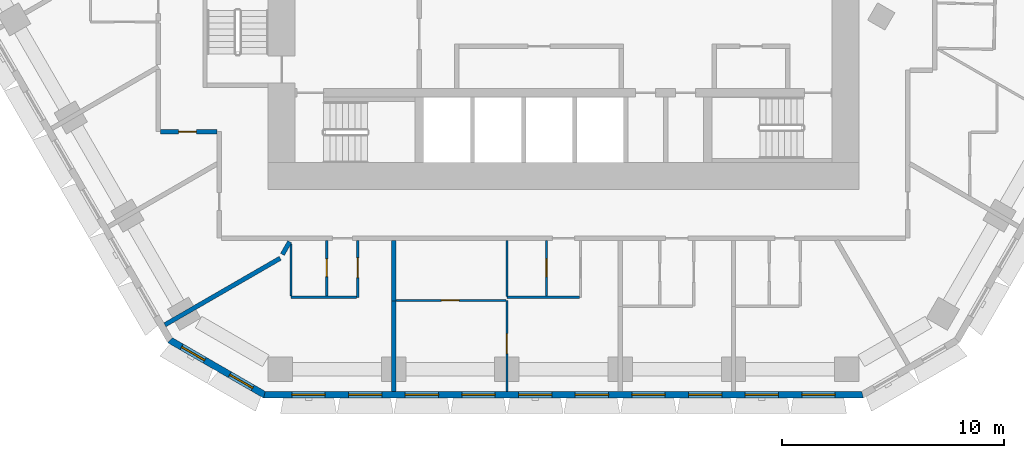
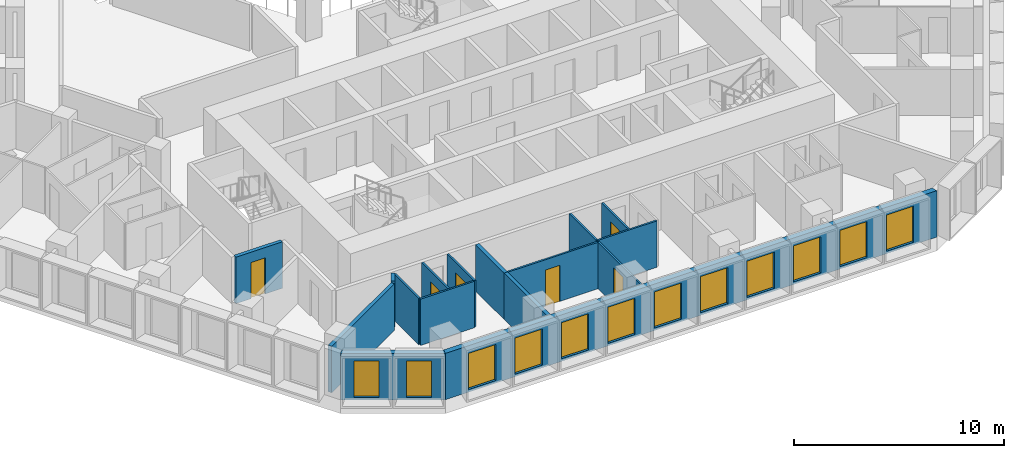
# One storey, part 3 of 21: 16 walls, 12 windows, 6 doors, 18 openings.
"""IFC4 building model written with IfcOpenShell, lengths in metres."""

from ifc_helpers import new_model, si_unit, direction, frame, frame_2d, origin, place, context, subcontext, project, spatial, polyline, rectangle, outline, extrude, material, layer, layer_set, type_object, element, fill, save


model = new_model("IFC4")

# Units and contexts
model_context = context("Model", 3, precision=1e-05, world=origin(), true_north=direction((0.0, 1.0)))
body_context = subcontext(model_context, "Body", "Model", "MODEL_VIEW")
ifc_project = project(units=[si_unit("LENGTHUNIT", "METRE"), si_unit("AREAUNIT", "SQUARE_METRE"), si_unit("VOLUMEUNIT", "CUBIC_METRE"), si_unit("PLANEANGLEUNIT", "RADIAN"), si_unit("MASSUNIT", "GRAM", prefix="KILO")], contexts=[model_context])

# Site, building, storey
site_placement = place(None, origin())
site = spatial("IfcSite", under=ifc_project, at=site_placement, CompositionType="ELEMENT")
building_placement = place(site_placement, origin())
building = spatial("IfcBuilding", under=site, at=building_placement, Name="Beryl Residences", CompositionType="ELEMENT")
storey_placement = place(building_placement, frame((0.0, 0.0, 23.39990234375)))
storey = spatial("IfcBuildingStorey", under=building, at=storey_placement, Name="L06", CompositionType="ELEMENT", Elevation=23.39990234375)

# Wall, openings, windows
ifc_material_1 = material(Name="Composite metal panel with mineral wool insulation")
ifc_layer_1 = layer(ifc_material_1, 0.300048828125)
ifc_layer_set_1 = layer_set([ifc_layer_1], Name="ES1 pale metal composite panel wall 300 mm")
wall_type_1 = type_object("IfcWallType", Name="ES1 pale metal composite panel wall 300 mm", PredefinedType="SOLIDWALL", material=ifc_layer_set_1)
wall_1_placement = place(storey_placement, frame((-17.764892578125, -25.77001953125, 0.0), z_axis=(0.0, 0.0, 1.0), x_axis=(0.866010750942, -0.50002537861, 0.0)))
wall_1 = element("IfcWall", 1, at=wall_1_placement, inside=storey, type_object=wall_type_1, Name="ES1 external wall L06 SW-S", PredefinedType="SOLIDWALL", context=body_context, shape_type="SweptSolid", body=[
    extrude(outline(polyline([(0.0, -0.14990234375), (4.999755859375, -0.14990234375), (4.91943359375, 0.14990234375), (0.080322265625, 0.14990234375), (0.0, -0.14990234375)])), origin(), (0.0, 0.0, 1.0), 2.7001953125),
])
opening_1_placement = place(wall_1_placement, frame((0.64990234375, 0.0, 0.14990234375)))
opening_1 = element("IfcOpeningElement", 2, at=opening_1_placement, cuts=wall_1, Name="Opening W2", PredefinedType="OPENING", context=body_context, shape_type="SweptSolid", body=[
    extrude(rectangle(XDim=1.199951171875, YDim=2.10009765625, at=frame_2d((0.60009765625, 1.050048828125))), frame((0.0, 0.159912109375, 0.0), z_axis=(0.0, -1.0, 0.0), x_axis=(1.0, 0.0, 0.0)), (0.0, 0.0, 1.0), 0.320068359375),
])
opening_2_placement = place(wall_1_placement, frame((3.14990234375, 0.0, 0.14990234375)))
opening_2 = element("IfcOpeningElement", 3, at=opening_2_placement, cuts=wall_1, Name="Opening W2", PredefinedType="OPENING", context=body_context, shape_type="SweptSolid", body=[
    extrude(rectangle(XDim=1.199951171875, YDim=2.10009765625, at=frame_2d((0.60009765625, 1.050048828125))), frame((0.0, 0.159912109375, 0.0), z_axis=(0.0, -1.0, 0.0), x_axis=(1.0, 0.0, 0.0)), (0.0, 0.0, 1.0), 0.320068359375),
])
ifc_material_2 = material(Name="Aluminium and clear glass", Category="aluminium")
window_type_1 = type_object("IfcWindowType", Name="W2 chamfer window 1200 x 2100 mm", PartitioningType="SINGLE_PANEL", PredefinedType="WINDOW", material=ifc_material_2)
window_1_placement = place(opening_1_placement, origin())
window_1 = element("IfcWindow", 4, at=window_1_placement, inside=storey, type_object=window_type_1, Name="W2 window L06 SW-S 1", OverallHeight=2.10009765625, OverallWidth=1.199951171875, PartitioningType="SINGLE_PANEL", PredefinedType="WINDOW", context=body_context, shape_type="SweptSolid", body=[
    extrude(rectangle(XDim=1.199951171875, YDim=2.10009765625, at=frame_2d((0.60009765625, 1.050048828125))), frame((0.0, 0.030029296875, 0.0), z_axis=(0.0, -1.0, 0.0), x_axis=(1.0, 0.0, 0.0)), (0.0, 0.0, 1.0), 0.06005859375),
])
fill(opening_1, window_1)
window_2_placement = place(opening_2_placement, origin())
window_2 = element("IfcWindow", 5, at=window_2_placement, inside=storey, type_object=window_type_1, Name="W2 window L06 SW-S 2", OverallHeight=2.10009765625, OverallWidth=1.199951171875, PartitioningType="SINGLE_PANEL", PredefinedType="WINDOW", context=body_context, shape_type="SweptSolid", body=[
    extrude(rectangle(XDim=1.199951171875, YDim=2.10009765625, at=frame_2d((0.60009765625, 1.050048828125))), frame((0.0, 0.030029296875, 0.0), z_axis=(0.0, -1.0, 0.0), x_axis=(1.0, 0.0, 0.0)), (0.0, 0.0, 1.0), 0.06005859375),
])
fill(opening_2, window_2)

wall_2_placement = place(storey_placement, frame((-13.510009765625, -28.25, 0.0), z_axis=(0.0, 0.0, 1.0), x_axis=(1.0, 0.0, 0.0)))
wall_2 = element("IfcWall", 6, at=wall_2_placement, inside=storey, type_object=wall_type_1, Name="ES1 external wall L06 S", PredefinedType="SOLIDWALL", context=body_context, shape_type="SweptSolid", body=[
    extrude(outline(polyline([(0.0, -0.14990234375), (27.02001953125, -0.14990234375), (26.939697265625, 0.14990234375), (0.080322265625, 0.14990234375), (0.0, -0.14990234375)])), origin(), (0.0, 0.0, 1.0), 2.7001953125),
])
opening_3_placement = place(wall_2_placement, frame((1.277099609375, 0.0, 0.14990234375)))
opening_3 = element("IfcOpeningElement", 7, at=opening_3_placement, cuts=wall_2, Name="Opening W1", PredefinedType="OPENING", context=body_context, shape_type="SweptSolid", body=[
    extrude(rectangle(XDim=1.5, YDim=2.10009765625, at=frame_2d((0.75, 1.050048828125))), frame((0.0, 0.159912109375, 0.0), z_axis=(0.0, -1.0, 0.0), x_axis=(1.0, 0.0, 0.0)), (0.0, 0.0, 1.0), 0.320068359375),
])
opening_4_placement = place(wall_2_placement, frame((3.8291015625, 0.0, 0.14990234375)))
opening_4 = element("IfcOpeningElement", 8, at=opening_4_placement, cuts=wall_2, Name="Opening W1", PredefinedType="OPENING", context=body_context, shape_type="SweptSolid", body=[
    extrude(rectangle(XDim=1.5, YDim=2.10009765625, at=frame_2d((0.75, 1.050048828125))), frame((0.0, 0.159912109375, 0.0), z_axis=(0.0, -1.0, 0.0), x_axis=(1.0, 0.0, 0.0)), (0.0, 0.0, 1.0), 0.320068359375),
])
opening_5_placement = place(wall_2_placement, frame((6.381103515625, 0.0, 0.14990234375)))
opening_5 = element("IfcOpeningElement", 9, at=opening_5_placement, cuts=wall_2, Name="Opening W1", PredefinedType="OPENING", context=body_context, shape_type="SweptSolid", body=[
    extrude(rectangle(XDim=1.5, YDim=2.10009765625, at=frame_2d((0.75, 1.050048828125))), frame((0.0, 0.159912109375, 0.0), z_axis=(0.0, -1.0, 0.0), x_axis=(1.0, 0.0, 0.0)), (0.0, 0.0, 1.0), 0.320068359375),
])
opening_6_placement = place(wall_2_placement, frame((8.93310546875, 0.0, 0.14990234375)))
opening_6 = element("IfcOpeningElement", 10, at=opening_6_placement, cuts=wall_2, Name="Opening W1", PredefinedType="OPENING", context=body_context, shape_type="SweptSolid", body=[
    extrude(rectangle(XDim=1.5, YDim=2.10009765625, at=frame_2d((0.75, 1.050048828125))), frame((0.0, 0.159912109375, 0.0), z_axis=(0.0, -1.0, 0.0), x_axis=(1.0, 0.0, 0.0)), (0.0, 0.0, 1.0), 0.320068359375),
])
opening_7_placement = place(wall_2_placement, frame((11.485107421875, 0.0, 0.14990234375)))
opening_7 = element("IfcOpeningElement", 11, at=opening_7_placement, cuts=wall_2, Name="Opening W1", PredefinedType="OPENING", context=body_context, shape_type="SweptSolid", body=[
    extrude(rectangle(XDim=1.5, YDim=2.10009765625, at=frame_2d((0.75, 1.050048828125))), frame((0.0, 0.159912109375, 0.0), z_axis=(0.0, -1.0, 0.0), x_axis=(1.0, 0.0, 0.0)), (0.0, 0.0, 1.0), 0.320068359375),
])
opening_8_placement = place(wall_2_placement, frame((14.037109375, 0.0, 0.14990234375)))
opening_8 = element("IfcOpeningElement", 12, at=opening_8_placement, cuts=wall_2, Name="Opening W1", PredefinedType="OPENING", context=body_context, shape_type="SweptSolid", body=[
    extrude(rectangle(XDim=1.5, YDim=2.10009765625, at=frame_2d((0.75, 1.050048828125))), frame((0.0, 0.159912109375, 0.0), z_axis=(0.0, -1.0, 0.0), x_axis=(1.0, 0.0, 0.0)), (0.0, 0.0, 1.0), 0.320068359375),
])
opening_9_placement = place(wall_2_placement, frame((16.589111328125, 0.0, 0.14990234375)))
opening_9 = element("IfcOpeningElement", 13, at=opening_9_placement, cuts=wall_2, Name="Opening W1", PredefinedType="OPENING", context=body_context, shape_type="SweptSolid", body=[
    extrude(rectangle(XDim=1.5, YDim=2.10009765625, at=frame_2d((0.75, 1.050048828125))), frame((0.0, 0.159912109375, 0.0), z_axis=(0.0, -1.0, 0.0), x_axis=(1.0, 0.0, 0.0)), (0.0, 0.0, 1.0), 0.320068359375),
])
opening_10_placement = place(wall_2_placement, frame((19.14111328125, 0.0, 0.14990234375)))
opening_10 = element("IfcOpeningElement", 14, at=opening_10_placement, cuts=wall_2, Name="Opening W1", PredefinedType="OPENING", context=body_context, shape_type="SweptSolid", body=[
    extrude(rectangle(XDim=1.5, YDim=2.10009765625, at=frame_2d((0.75, 1.050048828125))), frame((0.0, 0.159912109375, 0.0), z_axis=(0.0, -1.0, 0.0), x_axis=(1.0, 0.0, 0.0)), (0.0, 0.0, 1.0), 0.320068359375),
])
opening_11_placement = place(wall_2_placement, frame((21.693115234375, 0.0, 0.14990234375)))
opening_11 = element("IfcOpeningElement", 15, at=opening_11_placement, cuts=wall_2, Name="Opening W1", PredefinedType="OPENING", context=body_context, shape_type="SweptSolid", body=[
    extrude(rectangle(XDim=1.5, YDim=2.10009765625, at=frame_2d((0.75, 1.050048828125))), frame((0.0, 0.159912109375, 0.0), z_axis=(0.0, -1.0, 0.0), x_axis=(1.0, 0.0, 0.0)), (0.0, 0.0, 1.0), 0.320068359375),
])
opening_12_placement = place(wall_2_placement, frame((24.2451171875, 0.0, 0.14990234375)))
opening_12 = element("IfcOpeningElement", 16, at=opening_12_placement, cuts=wall_2, Name="Opening W1", PredefinedType="OPENING", context=body_context, shape_type="SweptSolid", body=[
    extrude(rectangle(XDim=1.5, YDim=2.10009765625, at=frame_2d((0.75, 1.050048828125))), frame((0.0, 0.159912109375, 0.0), z_axis=(0.0, -1.0, 0.0), x_axis=(1.0, 0.0, 0.0)), (0.0, 0.0, 1.0), 0.320068359375),
])
ifc_material_3 = material(Name="Aluminium and clear glass", Category="aluminium")
window_type_2 = type_object("IfcWindowType", Name="W1 cell window 1500 x 2100 mm", PartitioningType="SINGLE_PANEL", PredefinedType="WINDOW", material=ifc_material_3)
window_3_placement = place(opening_3_placement, origin())
window_3 = element("IfcWindow", 17, at=window_3_placement, inside=storey, type_object=window_type_2, Name="W1 window L06 S 1", OverallHeight=2.10009765625, OverallWidth=1.5, PartitioningType="SINGLE_PANEL", PredefinedType="WINDOW", context=body_context, shape_type="SweptSolid", body=[
    extrude(rectangle(XDim=1.5, YDim=2.10009765625, at=frame_2d((0.75, 1.050048828125))), frame((0.0, 0.030029296875, 0.0), z_axis=(0.0, -1.0, 0.0), x_axis=(1.0, 0.0, 0.0)), (0.0, 0.0, 1.0), 0.06005859375),
])
fill(opening_3, window_3)
window_4_placement = place(opening_4_placement, origin())
window_4 = element("IfcWindow", 18, at=window_4_placement, inside=storey, type_object=window_type_2, Name="W1 window L06 S 2", OverallHeight=2.10009765625, OverallWidth=1.5, PartitioningType="SINGLE_PANEL", PredefinedType="WINDOW", context=body_context, shape_type="SweptSolid", body=[
    extrude(rectangle(XDim=1.5, YDim=2.10009765625, at=frame_2d((0.75, 1.050048828125))), frame((0.0, 0.030029296875, 0.0), z_axis=(0.0, -1.0, 0.0), x_axis=(1.0, 0.0, 0.0)), (0.0, 0.0, 1.0), 0.06005859375),
])
fill(opening_4, window_4)
window_5_placement = place(opening_5_placement, origin())
window_5 = element("IfcWindow", 19, at=window_5_placement, inside=storey, type_object=window_type_2, Name="W1 window L06 S 3", OverallHeight=2.10009765625, OverallWidth=1.5, PartitioningType="SINGLE_PANEL", PredefinedType="WINDOW", context=body_context, shape_type="SweptSolid", body=[
    extrude(rectangle(XDim=1.5, YDim=2.10009765625, at=frame_2d((0.75, 1.050048828125))), frame((0.0, 0.030029296875, 0.0), z_axis=(0.0, -1.0, 0.0), x_axis=(1.0, 0.0, 0.0)), (0.0, 0.0, 1.0), 0.06005859375),
])
fill(opening_5, window_5)
window_6_placement = place(opening_6_placement, origin())
window_6 = element("IfcWindow", 20, at=window_6_placement, inside=storey, type_object=window_type_2, Name="W1 window L06 S 4", OverallHeight=2.10009765625, OverallWidth=1.5, PartitioningType="SINGLE_PANEL", PredefinedType="WINDOW", context=body_context, shape_type="SweptSolid", body=[
    extrude(rectangle(XDim=1.5, YDim=2.10009765625, at=frame_2d((0.75, 1.050048828125))), frame((0.0, 0.030029296875, 0.0), z_axis=(0.0, -1.0, 0.0), x_axis=(1.0, 0.0, 0.0)), (0.0, 0.0, 1.0), 0.06005859375),
])
fill(opening_6, window_6)
window_7_placement = place(opening_7_placement, origin())
window_7 = element("IfcWindow", 21, at=window_7_placement, inside=storey, type_object=window_type_2, Name="W1 window L06 S 5", OverallHeight=2.10009765625, OverallWidth=1.5, PartitioningType="SINGLE_PANEL", PredefinedType="WINDOW", context=body_context, shape_type="SweptSolid", body=[
    extrude(rectangle(XDim=1.5, YDim=2.10009765625, at=frame_2d((0.75, 1.050048828125))), frame((0.0, 0.030029296875, 0.0), z_axis=(0.0, -1.0, 0.0), x_axis=(1.0, 0.0, 0.0)), (0.0, 0.0, 1.0), 0.06005859375),
])
fill(opening_7, window_7)
window_8_placement = place(opening_8_placement, origin())
window_8 = element("IfcWindow", 22, at=window_8_placement, inside=storey, type_object=window_type_2, Name="W1 window L06 S 6", OverallHeight=2.10009765625, OverallWidth=1.5, PartitioningType="SINGLE_PANEL", PredefinedType="WINDOW", context=body_context, shape_type="SweptSolid", body=[
    extrude(rectangle(XDim=1.5, YDim=2.10009765625, at=frame_2d((0.75, 1.050048828125))), frame((0.0, 0.030029296875, 0.0), z_axis=(0.0, -1.0, 0.0), x_axis=(1.0, 0.0, 0.0)), (0.0, 0.0, 1.0), 0.06005859375),
])
fill(opening_8, window_8)
window_9_placement = place(opening_9_placement, origin())
window_9 = element("IfcWindow", 23, at=window_9_placement, inside=storey, type_object=window_type_2, Name="W1 window L06 S 7", OverallHeight=2.10009765625, OverallWidth=1.5, PartitioningType="SINGLE_PANEL", PredefinedType="WINDOW", context=body_context, shape_type="SweptSolid", body=[
    extrude(rectangle(XDim=1.5, YDim=2.10009765625, at=frame_2d((0.75, 1.050048828125))), frame((0.0, 0.030029296875, 0.0), z_axis=(0.0, -1.0, 0.0), x_axis=(1.0, 0.0, 0.0)), (0.0, 0.0, 1.0), 0.06005859375),
])
fill(opening_9, window_9)
window_10_placement = place(opening_10_placement, origin())
window_10 = element("IfcWindow", 24, at=window_10_placement, inside=storey, type_object=window_type_2, Name="W1 window L06 S 8", OverallHeight=2.10009765625, OverallWidth=1.5, PartitioningType="SINGLE_PANEL", PredefinedType="WINDOW", context=body_context, shape_type="SweptSolid", body=[
    extrude(rectangle(XDim=1.5, YDim=2.10009765625, at=frame_2d((0.75, 1.050048828125))), frame((0.0, 0.030029296875, 0.0), z_axis=(0.0, -1.0, 0.0), x_axis=(1.0, 0.0, 0.0)), (0.0, 0.0, 1.0), 0.06005859375),
])
fill(opening_10, window_10)
window_11_placement = place(opening_11_placement, origin())
window_11 = element("IfcWindow", 25, at=window_11_placement, inside=storey, type_object=window_type_2, Name="W1 window L06 S 9", OverallHeight=2.10009765625, OverallWidth=1.5, PartitioningType="SINGLE_PANEL", PredefinedType="WINDOW", context=body_context, shape_type="SweptSolid", body=[
    extrude(rectangle(XDim=1.5, YDim=2.10009765625, at=frame_2d((0.75, 1.050048828125))), frame((0.0, 0.030029296875, 0.0), z_axis=(0.0, -1.0, 0.0), x_axis=(1.0, 0.0, 0.0)), (0.0, 0.0, 1.0), 0.06005859375),
])
fill(opening_11, window_11)
window_12_placement = place(opening_12_placement, origin())
window_12 = element("IfcWindow", 26, at=window_12_placement, inside=storey, type_object=window_type_2, Name="W1 window L06 S 10", OverallHeight=2.10009765625, OverallWidth=1.5, PartitioningType="SINGLE_PANEL", PredefinedType="WINDOW", context=body_context, shape_type="SweptSolid", body=[
    extrude(rectangle(XDim=1.5, YDim=2.10009765625, at=frame_2d((0.75, 1.050048828125))), frame((0.0, 0.030029296875, 0.0), z_axis=(0.0, -1.0, 0.0), x_axis=(1.0, 0.0, 0.0)), (0.0, 0.0, 1.0), 0.06005859375),
])
fill(opening_12, window_12)

# Walls
ifc_material_4 = material(Name="Gypsum board partition on steel studs", Category="steel")
ifc_layer_2 = layer(ifc_material_4, 0.10009765625)
ifc_layer_set_2 = layer_set([ifc_layer_2], Name="PT1 partition 100 mm gypsum board on steel studs")
wall_type_2 = type_object("IfcWallType", Name="PT1 partition 100 mm gypsum board on steel studs", PredefinedType="PARTITIONING", material=ifc_layer_set_2)
wall_3_placement = place(storey_placement, frame((-12.27490234375, -21.4599609375, 0.0), z_axis=(0.0, 0.0, 1.0), x_axis=(0.0, -1.0, 0.0)))
element("IfcWall", 27, at=wall_3_placement, inside=storey, type_object=wall_type_2, Name="Wall PT1 L06 008", PredefinedType="PARTITIONING", context=body_context, shape_type="SweptSolid", body=[
    extrude(rectangle(XDim=2.34912109375, YDim=0.10009765625, at=frame_2d((1.174560546875, 0.0))), origin(), (0.0, 0.0, 1.0), 2.7001953125),
])
wall_4_placement = place(storey_placement, frame((-2.551025390625, -21.300048828125, 0.0), z_axis=(0.0, 0.0, 1.0), x_axis=(0.0, -1.0, 0.0)))
element("IfcWall", 28, at=wall_4_placement, inside=storey, type_object=wall_type_2, Name="Wall PT1 L06 010", PredefinedType="PARTITIONING", context=body_context, shape_type="SweptSolid", body=[
    extrude(rectangle(XDim=2.530029296875, YDim=0.10009765625, at=frame_2d((1.26513671875, 0.0))), origin(), (0.0, 0.0, 1.0), 2.7001953125),
])
wall_5_placement = place(storey_placement, frame((-12.27392578125, -23.860107421875, 0.0), z_axis=(0.0, 0.0, 1.0), x_axis=(1.0, 0.0, 0.0)))
element("IfcWall", 29, at=wall_5_placement, inside=storey, type_object=wall_type_2, Name="Wall PT1 L06 027", PredefinedType="PARTITIONING", context=body_context, shape_type="SweptSolid", body=[
    extrude(rectangle(XDim=2.9580078125, YDim=0.10009765625, at=frame_2d((1.47900390625, 0.0))), origin(), (0.0, 0.0, 1.0), 2.7001953125),
])
wall_6_placement = place(storey_placement, frame((-2.551025390625, -23.860107421875, 0.0), z_axis=(0.0, 0.0, 1.0), x_axis=(1.0, 0.0, 0.0)))
element("IfcWall", 30, at=wall_6_placement, inside=storey, type_object=wall_type_2, Name="Wall PT1 L06 028", PredefinedType="PARTITIONING", context=body_context, shape_type="SweptSolid", body=[
    extrude(rectangle(XDim=3.26708984375, YDim=0.10009765625, at=frame_2d((1.633544921875, 0.0))), origin(), (0.0, 0.0, 1.0), 2.7001953125),
])

# Wall, opening, door
wall_7_placement = place(storey_placement, frame((-7.554931640625, -24.0, 0.0), z_axis=(0.0, 0.0, 1.0), x_axis=(1.0, 0.0, 0.0)))
wall_7 = element("IfcWall", 31, at=wall_7_placement, inside=storey, type_object=wall_type_2, Name="Wall PT1 L06 029", PredefinedType="PARTITIONING", context=body_context, shape_type="SweptSolid", body=[
    extrude(rectangle(XDim=4.953857421875, YDim=0.10009765625, at=frame_2d((2.47705078125, 0.0))), origin(), (0.0, 0.0, 1.0), 2.7001953125),
])
opening_13_placement = place(wall_7_placement, frame((2.052001953125, 0.0, 0.0)))
opening_13 = element("IfcOpeningElement", 32, at=opening_13_placement, cuts=wall_7, Name="Opening D0108", PredefinedType="OPENING", context=body_context, shape_type="SweptSolid", body=[
    extrude(rectangle(XDim=0.800048828125, YDim=2.10009765625, at=frame_2d((0.39990234375, 1.050048828125))), frame((0.0, 0.06005859375, 0.0), z_axis=(0.0, -1.0, 0.0), x_axis=(1.0, 0.0, 0.0)), (0.0, 0.0, 1.0), 0.1201171875),
])
ifc_material_5 = material(Name="Timber door leaf", Category="wood")
door_type_1 = type_object("IfcDoorType", Name="D3 bathroom door 800 x 2100 mm", OperationType="SINGLE_SWING_LEFT", PredefinedType="DOOR", material=ifc_material_5)
door_1_placement = place(opening_13_placement, origin())
door_1 = element("IfcDoor", 33, at=door_1_placement, inside=storey, type_object=door_type_1, Name="Door D0108 L06 001", OperationType="SINGLE_SWING_RIGHT", OverallHeight=2.10009765625, OverallWidth=0.800048828125, PredefinedType="DOOR", context=body_context, shape_type="SweptSolid", body=[
    extrude(rectangle(XDim=0.800048828125, YDim=2.10009765625, at=frame_2d((0.39990234375, 1.050048828125))), frame((0.0, 0.02490234375, 0.0), z_axis=(0.0, -1.0, 0.0), x_axis=(1.0, 0.0, 0.0)), (0.0, 0.0, 1.0), 0.050048828125),
])
fill(opening_13, door_1)

wall_8_placement = place(storey_placement, frame((-0.764892578125, -23.81005859375, 0.0), z_axis=(0.0, 0.0, 1.0), x_axis=(0.0, 1.0, 0.0)))
wall_8 = element("IfcWall", 34, at=wall_8_placement, inside=storey, type_object=wall_type_2, Name="Wall PT1 L06 054", PredefinedType="PARTITIONING", context=body_context, shape_type="SweptSolid", body=[
    extrude(rectangle(XDim=2.510009765625, YDim=0.10009765625, at=frame_2d((1.2548828125, 0.0))), origin(), (0.0, 0.0, 1.0), 2.7001953125),
])
opening_14_placement = place(wall_8_placement, frame((0.8798828125, 0.0, 0.0)))
opening_14 = element("IfcOpeningElement", 35, at=opening_14_placement, cuts=wall_8, Name="Opening D0106", PredefinedType="OPENING", context=body_context, shape_type="SweptSolid", body=[
    extrude(rectangle(XDim=0.800048828125, YDim=2.10009765625, at=frame_2d((0.39990234375, 1.050048828125))), frame((0.0, 0.06005859375, 0.0), z_axis=(0.0, -1.0, 0.0), x_axis=(1.0, 0.0, 0.0)), (0.0, 0.0, 1.0), 0.1201171875),
])
door_2_placement = place(opening_14_placement, origin())
door_2 = element("IfcDoor", 36, at=door_2_placement, inside=storey, type_object=door_type_1, Name="Door D0106 L06 001", OperationType="SINGLE_SWING_RIGHT", OverallHeight=2.10009765625, OverallWidth=0.800048828125, PredefinedType="DOOR", context=body_context, shape_type="SweptSolid", body=[
    extrude(rectangle(XDim=0.800048828125, YDim=2.10009765625, at=frame_2d((0.39990234375, 1.050048828125))), frame((0.0, 0.02490234375, 0.0), z_axis=(0.0, -1.0, 0.0), x_axis=(1.0, 0.0, 0.0)), (0.0, 0.0, 1.0), 0.050048828125),
])
fill(opening_14, door_2)

wall_9_placement = place(storey_placement, frame((-9.264892578125, -23.85888671875, 0.0), z_axis=(0.0, 0.0, 1.0), x_axis=(0.0, 1.0, 0.0)))
wall_9 = element("IfcWall", 37, at=wall_9_placement, inside=storey, type_object=wall_type_2, Name="Wall PT1 L06 056", PredefinedType="PARTITIONING", context=body_context, shape_type="SweptSolid", body=[
    extrude(rectangle(XDim=2.558837890625, YDim=0.10009765625, at=frame_2d((1.279296875, 0.0))), origin(), (0.0, 0.0, 1.0), 2.7001953125),
])
opening_15_placement = place(wall_9_placement, frame((0.87890625, 0.0, 0.0)))
opening_15 = element("IfcOpeningElement", 38, at=opening_15_placement, cuts=wall_9, Name="Opening D0102", PredefinedType="OPENING", context=body_context, shape_type="SweptSolid", body=[
    extrude(rectangle(XDim=0.89990234375, YDim=2.10009765625, at=frame_2d((0.449951171875, 1.050048828125))), frame((0.0, 0.06005859375, 0.0), z_axis=(0.0, -1.0, 0.0), x_axis=(1.0, 0.0, 0.0)), (0.0, 0.0, 1.0), 0.1201171875),
])
ifc_material_6 = material(Name="Timber door leaf", Category="wood")
door_type_2 = type_object("IfcDoorType", Name="D2 room door 900 x 2100 mm", OperationType="SINGLE_SWING_LEFT", PredefinedType="DOOR", material=ifc_material_6)
door_3_placement = place(opening_15_placement, origin())
door_3 = element("IfcDoor", 39, at=door_3_placement, inside=storey, type_object=door_type_2, Name="Door D0102 L06 001", OperationType="SINGLE_SWING_RIGHT", OverallHeight=2.10009765625, OverallWidth=0.89990234375, PredefinedType="DOOR", context=body_context, shape_type="SweptSolid", body=[
    extrude(rectangle(XDim=0.89990234375, YDim=2.10009765625, at=frame_2d((0.449951171875, 1.050048828125))), frame((0.0, 0.02490234375, 0.0), z_axis=(0.0, -1.0, 0.0), x_axis=(1.0, 0.0, 0.0)), (0.0, 0.0, 1.0), 0.050048828125),
])
fill(opening_15, door_3)

wall_10_placement = place(storey_placement, frame((-10.6650390625, -23.81005859375, 0.0), z_axis=(0.0, 0.0, 1.0), x_axis=(0.0, 1.0, 0.0)))
wall_10 = element("IfcWall", 40, at=wall_10_placement, inside=storey, type_object=wall_type_2, Name="Wall PT1 L06 057", PredefinedType="PARTITIONING", context=body_context, shape_type="SweptSolid", body=[
    extrude(rectangle(XDim=2.510009765625, YDim=0.10009765625, at=frame_2d((1.2548828125, 0.0))), origin(), (0.0, 0.0, 1.0), 2.7001953125),
])
opening_16_placement = place(wall_10_placement, frame((0.8798828125, 0.0, 0.0)))
opening_16 = element("IfcOpeningElement", 41, at=opening_16_placement, cuts=wall_10, Name="Opening D0103", PredefinedType="OPENING", context=body_context, shape_type="SweptSolid", body=[
    extrude(rectangle(XDim=0.800048828125, YDim=2.10009765625, at=frame_2d((0.39990234375, 1.050048828125))), frame((0.0, 0.06005859375, 0.0), z_axis=(0.0, -1.0, 0.0), x_axis=(1.0, 0.0, 0.0)), (0.0, 0.0, 1.0), 0.1201171875),
])
door_4_placement = place(opening_16_placement, origin())
door_4 = element("IfcDoor", 42, at=door_4_placement, inside=storey, type_object=door_type_1, Name="Door D0103 L06 001", OperationType="SINGLE_SWING_LEFT", OverallHeight=2.10009765625, OverallWidth=0.800048828125, PredefinedType="DOOR", context=body_context, shape_type="SweptSolid", body=[
    extrude(rectangle(XDim=0.800048828125, YDim=2.10009765625, at=frame_2d((0.39990234375, 1.050048828125))), frame((0.0, 0.02490234375, 0.0), z_axis=(0.0, -1.0, 0.0), x_axis=(1.0, 0.0, 0.0)), (0.0, 0.0, 1.0), 0.050048828125),
])
fill(opening_16, door_4)

wall_11_placement = place(storey_placement, frame((-2.551025390625, -28.10009765625, 0.0), z_axis=(0.0, 0.0, 1.0), x_axis=(0.0, 1.0, 0.0)))
wall_11 = element("IfcWall", 43, at=wall_11_placement, inside=storey, type_object=wall_type_2, Name="Wall PT1 L06 059", PredefinedType="PARTITIONING", context=body_context, shape_type="SweptSolid", body=[
    extrude(rectangle(XDim=4.10009765625, YDim=0.10009765625, at=frame_2d((2.050048828125, 0.0))), origin(), (0.0, 0.0, 1.0), 2.7001953125),
])
opening_17_placement = place(wall_11_placement, frame((1.699951171875, 0.0, 0.0)))
opening_17 = element("IfcOpeningElement", 44, at=opening_17_placement, cuts=wall_11, Name="Opening D0107", PredefinedType="OPENING", context=body_context, shape_type="SweptSolid", body=[
    extrude(rectangle(XDim=0.89990234375, YDim=2.10009765625, at=frame_2d((0.449951171875, 1.050048828125))), frame((0.0, 0.06005859375, 0.0), z_axis=(0.0, -1.0, 0.0), x_axis=(1.0, 0.0, 0.0)), (0.0, 0.0, 1.0), 0.1201171875),
])
door_5_placement = place(opening_17_placement, origin())
door_5 = element("IfcDoor", 45, at=door_5_placement, inside=storey, type_object=door_type_2, Name="Door D0107 L06 001", OperationType="SINGLE_SWING_LEFT", OverallHeight=2.10009765625, OverallWidth=0.89990234375, PredefinedType="DOOR", context=body_context, shape_type="SweptSolid", body=[
    extrude(rectangle(XDim=0.89990234375, YDim=2.10009765625, at=frame_2d((0.449951171875, 1.050048828125))), frame((0.0, 0.02490234375, 0.0), z_axis=(0.0, -1.0, 0.0), x_axis=(1.0, 0.0, 0.0)), (0.0, 0.0, 1.0), 0.050048828125),
])
fill(opening_17, door_5)

# Walls
ifc_material_7 = material(Name="Acoustic double stud gypsum board wall")
ifc_layer_3 = layer(ifc_material_7, 0.199951171875)
ifc_layer_set_3 = layer_set([ifc_layer_3], Name="PT3 party wall 200 mm acoustic double stud")
wall_type_3 = type_object("IfcWallType", Name="PT3 party wall 200 mm acoustic double stud", PredefinedType="PARTITIONING", material=ifc_layer_set_3)
wall_12_placement = place(storey_placement, frame((-7.655029296875, -21.300048828125, 0.0), z_axis=(0.0, 0.0, 1.0), x_axis=(0.0, -1.0, 0.0)))
element("IfcWall", 46, at=wall_12_placement, inside=storey, type_object=wall_type_3, Name="Wall PT3 L06 004", PredefinedType="PARTITIONING", context=body_context, shape_type="SweptSolid", body=[
    extrude(rectangle(XDim=2.719970703125, YDim=0.199951171875, at=frame_2d((1.35986328125, 0.0))), origin(), (0.0, 0.0, 1.0), 2.7001953125),
])
wall_13_placement = place(storey_placement, frame((-12.660888671875, -21.928955078125, 0.0), z_axis=(0.0, 0.0, 1.0), x_axis=(0.499379051742, 0.866383611734, 0.0)))
element("IfcWall", 47, at=wall_13_placement, inside=storey, type_object=wall_type_3, Name="Wall PT3 L06 015", PredefinedType="PARTITIONING", context=body_context, shape_type="SweptSolid", body=[
    extrude(rectangle(XDim=0.656494140625, YDim=0.199951171875, at=frame_2d((0.328125, 0.0))), origin(), (0.0, 0.0, 1.0), 2.7001953125),
])
wall_14_placement = place(storey_placement, frame((-7.655029296875, -28.10009765625, 0.0), z_axis=(0.0, 0.0, 1.0), x_axis=(0.0, 1.0, 0.0)))
element("IfcWall", 48, at=wall_14_placement, inside=storey, type_object=wall_type_3, Name="Wall PT3 L06 019", PredefinedType="PARTITIONING", context=body_context, shape_type="SweptSolid", body=[
    extrude(rectangle(XDim=4.1201171875, YDim=0.199951171875, at=frame_2d((2.06005859375, 0.0))), origin(), (0.0, 0.0, 1.0), 2.7001953125),
])
wall_15_placement = place(storey_placement, frame((-17.9541015625, -25.10107421875, 0.0), z_axis=(0.0, 0.0, 1.0), x_axis=(0.865999098103, 0.500045560009, 0.0)))
element("IfcWall", 49, at=wall_15_placement, inside=storey, type_object=wall_type_3, Name="Wall PT3 L06 023", PredefinedType="PARTITIONING", context=body_context, shape_type="SweptSolid", body=[
    extrude(rectangle(XDim=5.99560546875, YDim=0.199951171875, at=frame_2d((2.997802734375, 0.0))), origin(), (0.0, 0.0, 1.0), 2.7001953125),
])

# Wall, opening, door
ifc_material_8 = material(Name="Double stud gypsum board wall")
ifc_layer_4 = layer(ifc_material_8, 0.199951171875)
ifc_layer_set_4 = layer_set([ifc_layer_4], Name="PT4 corridor wall 200 mm double stud")
wall_type_4 = type_object("IfcWallType", Name="PT4 corridor wall 200 mm double stud", PredefinedType="PARTITIONING", material=ifc_layer_set_4)
wall_16_placement = place(storey_placement, frame((-18.14990234375, -16.39990234375, 0.0), z_axis=(0.0, 0.0, 1.0), x_axis=(1.0, 0.0, 0.0)))
wall_16 = element("IfcWall", 50, at=wall_16_placement, inside=storey, type_object=wall_type_4, Name="Wall PT4 L06 011", PredefinedType="PARTITIONING", context=body_context, shape_type="SweptSolid", body=[
    extrude(rectangle(XDim=2.5498046875, YDim=0.199951171875, at=frame_2d((1.27490234375, 0.0))), origin(), (0.0, 0.0, 1.0), 2.7001953125),
])
opening_18_placement = place(wall_16_placement, frame((0.81494140625, 0.0, 0.0)))
opening_18 = element("IfcOpeningElement", 51, at=opening_18_placement, cuts=wall_16, Name="Opening D0179", PredefinedType="OPENING", context=body_context, shape_type="SweptSolid", body=[
    extrude(rectangle(XDim=0.800048828125, YDim=2.10009765625, at=frame_2d((0.39990234375, 1.050048828125))), frame((0.0, 0.10986328125, 0.0), z_axis=(0.0, -1.0, 0.0), x_axis=(1.0, 0.0, 0.0)), (0.0, 0.0, 1.0), 0.219970703125),
])
door_6_placement = place(opening_18_placement, origin())
door_6 = element("IfcDoor", 52, at=door_6_placement, inside=storey, type_object=door_type_1, Name="Door D0179 L06 001", OperationType="SINGLE_SWING_LEFT", OverallHeight=2.10009765625, OverallWidth=0.800048828125, PredefinedType="DOOR", context=body_context, shape_type="SweptSolid", body=[
    extrude(rectangle(XDim=0.800048828125, YDim=2.10009765625, at=frame_2d((0.39990234375, 1.050048828125))), frame((0.0, 0.02490234375, 0.0), z_axis=(0.0, -1.0, 0.0), x_axis=(1.0, 0.0, 0.0)), (0.0, 0.0, 1.0), 0.050048828125),
])
fill(opening_18, door_6)

save(model, "model.ifc")
